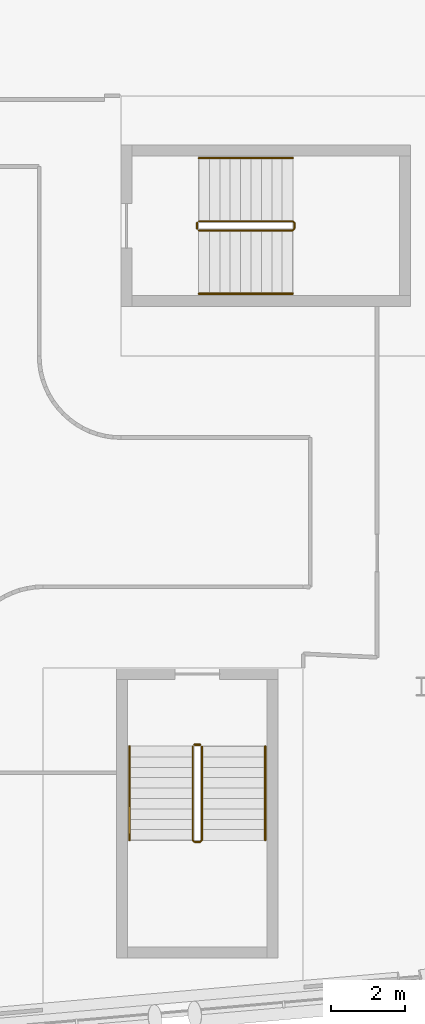
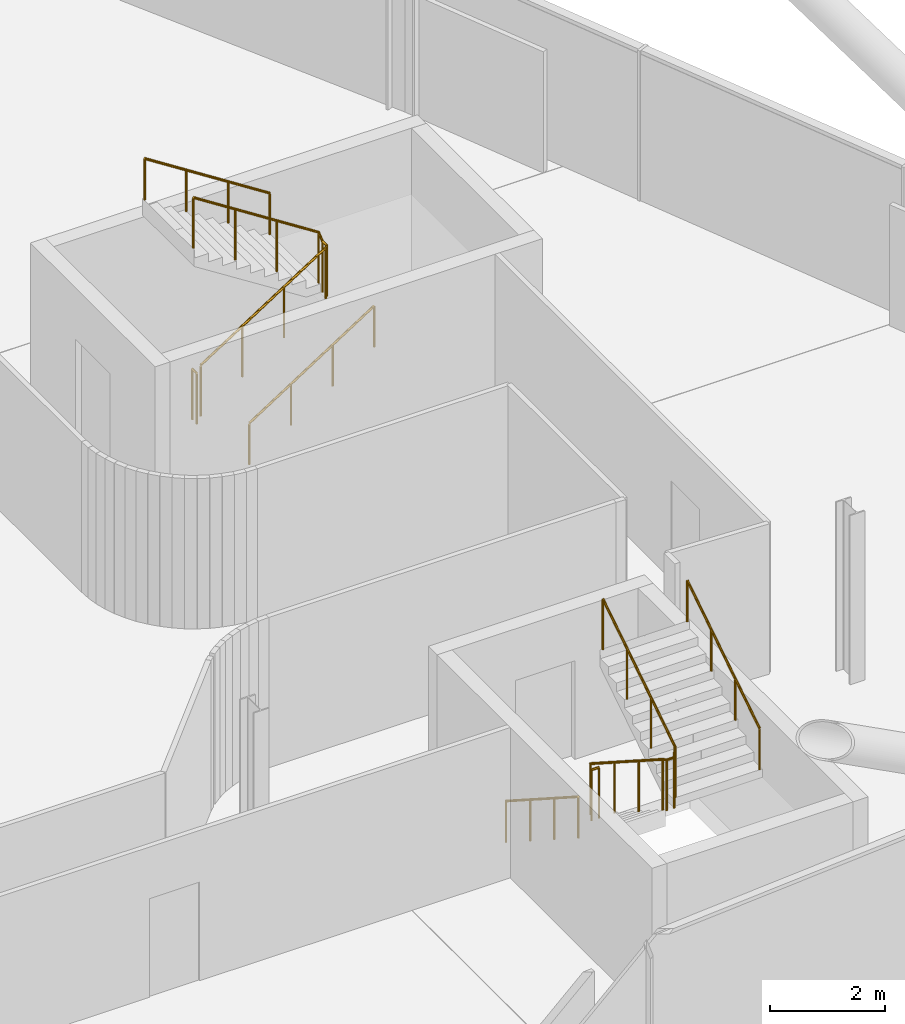
# One storey, part 28 of 29: 8 railings.
"""IFC4 building model written with IfcOpenShell, lengths in metres."""

from ifc_helpers import new_model, si_unit, direction, frame, origin, origin_2d, place, context, subcontext, project, spatial, circle, extrude, material, type_object, element, save


model = new_model("IFC4")

# Units and contexts
model_context = context("Model", 3, precision=1e-05, world=origin(), true_north=direction((0.0, 1.0)))
body_context = subcontext(model_context, "Body", "Model", "MODEL_VIEW")
ifc_project = project(units=[si_unit("LENGTHUNIT", "METRE"), si_unit("AREAUNIT", "SQUARE_METRE"), si_unit("VOLUMEUNIT", "CUBIC_METRE"), si_unit("PLANEANGLEUNIT", "RADIAN"), si_unit("MASSUNIT", "GRAM", prefix="KILO")], contexts=[model_context])

# Site, building, storey
site_placement = place(None, origin())
site = spatial("IfcSite", under=ifc_project, at=site_placement, CompositionType="ELEMENT")
building_placement = place(site_placement, origin())
building = spatial("IfcBuilding", under=site, at=building_placement, Name="Wharfspan Tower", CompositionType="ELEMENT")
storey_placement = place(building_placement, frame((0.0, 0.0, 162.699951)))
storey = spatial("IfcBuildingStorey", under=building, at=storey_placement, Name="L39", CompositionType="ELEMENT", Elevation=162.699951)

# Railings
ifc_material = material(Name="Steel S355J2", Category="steel")
railing_type_1 = type_object("IfcRailingType", Name="Stair guard 1100", PredefinedType="GUARDRAIL", material=ifc_material)
railing_1_placement = place(storey_placement, frame((65.836426, 9.883789, 0.179932)))
element("IfcRailing", 1, at=railing_1_placement, inside=storey, type_object=railing_type_1, Name="L39 ST5 stair guard 1", PredefinedType="GUARDRAIL", context=body_context, shape_type="SweptSolid", body=[
    extrude(circle(Radius=0.023926, at=origin_2d()), frame((0.0, 0.0, 1.076172), z_axis=(0.0, -0.841163, 0.540782), x_axis=(1.0, 0.0, 0.0)), (0.0, 0.0, 1.0), 2.99585),
    extrude(circle(Radius=0.023926, at=origin_2d()), frame((0.0, -2.52002, 2.696289), z_axis=(0.705376, -0.708834, 0.0), x_axis=(0.708834, 0.705376, 0.0)), (0.0, 0.0, 1.0), 0.070557),
    extrude(circle(Radius=0.023926, at=origin_2d()), frame((0.049805, -2.570068, 2.696289), z_axis=(1.0, 0.0, 0.0), x_axis=(0.0, 1.0, 0.0)), (0.0, 0.0, 1.0), 0.150146),
    extrude(circle(Radius=0.023926, at=origin_2d()), frame((0.199951, -2.570068, 2.696289), z_axis=(0.258848, 0.258848, 0.930589), x_axis=(-0.707107, 0.707107, 0.0)), (0.0, 0.0, 1.0), 0.193359),
    extrude(circle(Radius=0.023926, at=origin_2d()), frame((0.25, -2.52002, 2.875977), z_axis=(0.0, 0.841163, 0.540782), x_axis=(-1.0, 0.0, 0.0)), (0.0, 0.0, 1.0), 2.99585),
    extrude(circle(Radius=0.020996, at=origin_2d()), origin(), (0.0, 0.0, 1.0), 1.052002),
    extrude(circle(Radius=0.020996, at=origin_2d()), frame((0.0, -0.840088, 0.540039)), (0.0, 0.0, 1.0), 1.052002),
    extrude(circle(Radius=0.020996, at=origin_2d()), frame((0.0, -1.679932, 1.080078)), (0.0, 0.0, 1.0), 1.052002),
    extrude(circle(Radius=0.020996, at=origin_2d()), frame((0.0, -2.52002, 1.620117)), (0.0, 0.0, 1.0), 1.052002),
    extrude(circle(Radius=0.020996, at=origin_2d()), frame((0.049805, -2.570068, 1.620117)), (0.0, 0.0, 1.0), 1.052002),
    extrude(circle(Radius=0.020996, at=origin_2d()), frame((0.199951, -2.570068, 1.620117)), (0.0, 0.0, 1.0), 1.052002),
    extrude(circle(Radius=0.020996, at=origin_2d()), frame((0.25, -2.52002, 1.800049)), (0.0, 0.0, 1.0), 1.052002),
    extrude(circle(Radius=0.020996, at=origin_2d()), frame((0.25, -1.679932, 2.340088)), (0.0, 0.0, 1.0), 1.052002),
    extrude(circle(Radius=0.020996, at=origin_2d()), frame((0.25, -0.840088, 2.880127)), (0.0, 0.0, 1.0), 1.052002),
    extrude(circle(Radius=0.020996, at=origin_2d()), frame((0.25, 0.0, 3.420166)), (0.0, 0.0, 1.0), 1.052002),
])
railing_2_placement = place(storey_placement, frame((65.88623, 9.933594, 0.0)))
element("IfcRailing", 2, at=railing_2_placement, inside=storey, type_object=railing_type_1, Name="L39 ST5 stair guard 2", PredefinedType="GUARDRAIL", context=body_context, shape_type="SweptSolid", body=[
    extrude(circle(Radius=0.023926, at=origin_2d()), frame((0.0, 0.0, 1.076172), z_axis=(1.0, 0.0, 0.0), x_axis=(0.0, 1.0, 0.0)), (0.0, 0.0, 1.0), 0.150146),
    extrude(circle(Radius=0.020996, at=origin_2d()), origin(), (0.0, 0.0, 1.0), 1.052002),
    extrude(circle(Radius=0.020996, at=origin_2d()), frame((0.150146, 0.0, 0.0)), (0.0, 0.0, 1.0), 1.052002),
])
railing_3_placement = place(storey_placement, frame((66.004639, 23.774902, 0.179932)))
element("IfcRailing", 3, at=railing_3_placement, inside=storey, type_object=railing_type_1, Name="L39 ST6 stair guard 1", PredefinedType="GUARDRAIL", context=body_context, shape_type="SweptSolid", body=[
    extrude(circle(Radius=0.023926, at=origin_2d()), frame((0.0, 0.0, 1.076172), z_axis=(0.841163, 0.0, 0.540782), x_axis=(0.0, 1.0, 0.0)), (0.0, 0.0, 1.0), 2.99585),
    extrude(circle(Radius=0.023926, at=origin_2d()), frame((2.52002, 0.0, 2.696289), z_axis=(0.707107, 0.707107, 0.0), x_axis=(-0.707107, 0.707107, 0.0)), (0.0, 0.0, 1.0), 0.070801),
    extrude(circle(Radius=0.023926, at=origin_2d()), frame((2.570068, 0.050049, 2.696289), z_axis=(0.0, 1.0, 0.0), x_axis=(-1.0, 0.0, 0.0)), (0.0, 0.0, 1.0), 0.150146),
    extrude(circle(Radius=0.023926, at=origin_2d()), frame((2.570068, 0.200195, 2.696289), z_axis=(-0.258932, 0.257669, 0.930892), x_axis=(-0.705372, -0.708833, 1e-06)), (0.0, 0.0, 1.0), 0.193359),
    extrude(circle(Radius=0.023926, at=origin_2d()), frame((2.52002, 0.25, 2.875977), z_axis=(-0.841163, 0.0, 0.540782), x_axis=(0.0, -1.0, 0.0)), (0.0, 0.0, 1.0), 2.99585),
    extrude(circle(Radius=0.020996, at=origin_2d()), origin(), (0.0, 0.0, 1.0), 1.052002),
    extrude(circle(Radius=0.020996, at=origin_2d()), frame((0.840088, 0.0, 0.540039)), (0.0, 0.0, 1.0), 1.052002),
    extrude(circle(Radius=0.020996, at=origin_2d()), frame((1.679932, 0.0, 1.080078)), (0.0, 0.0, 1.0), 1.052002),
    extrude(circle(Radius=0.020996, at=origin_2d()), frame((2.52002, 0.0, 1.620117)), (0.0, 0.0, 1.0), 1.052002),
    extrude(circle(Radius=0.020996, at=origin_2d()), frame((2.570068, 0.050049, 1.620117)), (0.0, 0.0, 1.0), 1.052002),
    extrude(circle(Radius=0.020996, at=origin_2d()), frame((2.570068, 0.200195, 1.620117)), (0.0, 0.0, 1.0), 1.052002),
    extrude(circle(Radius=0.020996, at=origin_2d()), frame((2.52002, 0.25, 1.800049)), (0.0, 0.0, 1.0), 1.052002),
    extrude(circle(Radius=0.020996, at=origin_2d()), frame((1.679932, 0.25, 2.340088)), (0.0, 0.0, 1.0), 1.052002),
    extrude(circle(Radius=0.020996, at=origin_2d()), frame((0.840088, 0.25, 2.880127)), (0.0, 0.0, 1.0), 1.052002),
    extrude(circle(Radius=0.020996, at=origin_2d()), frame((0.0, 0.25, 3.420166)), (0.0, 0.0, 1.0), 1.052002),
])
railing_4_placement = place(storey_placement, frame((65.95459, 23.824951, 0.0)))
element("IfcRailing", 4, at=railing_4_placement, inside=storey, type_object=railing_type_1, Name="L39 ST6 stair guard 2", PredefinedType="GUARDRAIL", context=body_context, shape_type="SweptSolid", body=[
    extrude(circle(Radius=0.023926, at=origin_2d()), frame((0.0, 0.0, 1.076172), z_axis=(0.0, 1.0, 0.0), x_axis=(-1.0, 0.0, 0.0)), (0.0, 0.0, 1.0), 0.150146),
    extrude(circle(Radius=0.020996, at=origin_2d()), origin(), (0.0, 0.0, 1.0), 1.052002),
    extrude(circle(Radius=0.020996, at=origin_2d()), frame((0.0, 0.150146, 0.0)), (0.0, 0.0, 1.0), 1.052002),
])
railing_type_2 = type_object("IfcRailingType", Name="Stair handrail 900", PredefinedType="HANDRAIL", material=ifc_material)
railing_5_placement = place(storey_placement, frame((64.13623, 9.883789, 0.179932)))
element("IfcRailing", 5, at=railing_5_placement, inside=storey, type_object=railing_type_2, Name="L39 ST5 stair handrail 1", PredefinedType="HANDRAIL", context=body_context, shape_type="SweptSolid", body=[
    extrude(circle(Radius=0.023926, at=origin_2d()), frame((0.0, 0.0, 0.875977), z_axis=(0.0, -0.841163, 0.540782), x_axis=(1.0, 0.0, 0.0)), (0.0, 0.0, 1.0), 2.99585),
    extrude(circle(Radius=0.020996, at=origin_2d()), origin(), (0.0, 0.0, 1.0), 0.851807),
    extrude(circle(Radius=0.020996, at=origin_2d()), frame((0.0, -0.840088, 0.540039)), (0.0, 0.0, 1.0), 0.851807),
    extrude(circle(Radius=0.020996, at=origin_2d()), frame((0.0, -1.679932, 1.080078)), (0.0, 0.0, 1.0), 0.851807),
    extrude(circle(Radius=0.020996, at=origin_2d()), frame((0.0, -2.52002, 1.620117)), (0.0, 0.0, 1.0), 0.851807),
])
railing_6_placement = place(storey_placement, frame((67.786377, 7.36377, 1.97998)))
element("IfcRailing", 6, at=railing_6_placement, inside=storey, type_object=railing_type_2, Name="L39 ST5 stair handrail 2", PredefinedType="HANDRAIL", context=body_context, shape_type="SweptSolid", body=[
    extrude(circle(Radius=0.023926, at=origin_2d()), frame((0.0, 0.0, 0.875977), z_axis=(0.0, 0.841163, 0.540782), x_axis=(-1.0, 0.0, 0.0)), (0.0, 0.0, 1.0), 2.99585),
    extrude(circle(Radius=0.020996, at=origin_2d()), origin(), (0.0, 0.0, 1.0), 0.851807),
    extrude(circle(Radius=0.020996, at=origin_2d()), frame((0.0, 0.840088, 0.540039)), (0.0, 0.0, 1.0), 0.851807),
    extrude(circle(Radius=0.020996, at=origin_2d()), frame((0.0, 1.679932, 1.080078)), (0.0, 0.0, 1.0), 0.851807),
    extrude(circle(Radius=0.020996, at=origin_2d()), frame((0.0, 2.52002, 1.620117)), (0.0, 0.0, 1.0), 0.851807),
])
railing_7_placement = place(storey_placement, frame((66.004639, 22.074951, 0.179932)))
element("IfcRailing", 7, at=railing_7_placement, inside=storey, type_object=railing_type_2, Name="L39 ST6 stair handrail 1", PredefinedType="HANDRAIL", context=body_context, shape_type="SweptSolid", body=[
    extrude(circle(Radius=0.023926, at=origin_2d()), frame((0.0, 0.0, 0.875977), z_axis=(0.841163, 0.0, 0.540782), x_axis=(0.0, 1.0, 0.0)), (0.0, 0.0, 1.0), 2.99585),
    extrude(circle(Radius=0.020996, at=origin_2d()), origin(), (0.0, 0.0, 1.0), 0.851807),
    extrude(circle(Radius=0.020996, at=origin_2d()), frame((0.840088, 0.0, 0.540039)), (0.0, 0.0, 1.0), 0.851807),
    extrude(circle(Radius=0.020996, at=origin_2d()), frame((1.679932, 0.0, 1.080078)), (0.0, 0.0, 1.0), 0.851807),
    extrude(circle(Radius=0.020996, at=origin_2d()), frame((2.52002, 0.0, 1.620117)), (0.0, 0.0, 1.0), 0.851807),
])
railing_8_placement = place(storey_placement, frame((68.524658, 25.725098, 1.97998)))
element("IfcRailing", 8, at=railing_8_placement, inside=storey, type_object=railing_type_2, Name="L39 ST6 stair handrail 2", PredefinedType="HANDRAIL", context=body_context, shape_type="SweptSolid", body=[
    extrude(circle(Radius=0.023926, at=origin_2d()), frame((0.0, 0.0, 0.875977), z_axis=(-0.841163, 0.0, 0.540782), x_axis=(0.0, -1.0, 0.0)), (0.0, 0.0, 1.0), 2.99585),
    extrude(circle(Radius=0.020996, at=origin_2d()), origin(), (0.0, 0.0, 1.0), 0.851807),
    extrude(circle(Radius=0.020996, at=origin_2d()), frame((-0.840088, 0.0, 0.540039)), (0.0, 0.0, 1.0), 0.851807),
    extrude(circle(Radius=0.020996, at=origin_2d()), frame((-1.679932, 0.0, 1.080078)), (0.0, 0.0, 1.0), 0.851807),
    extrude(circle(Radius=0.020996, at=origin_2d()), frame((-2.52002, 0.0, 1.620117)), (0.0, 0.0, 1.0), 0.851807),
])

save(model, "model.ifc")
